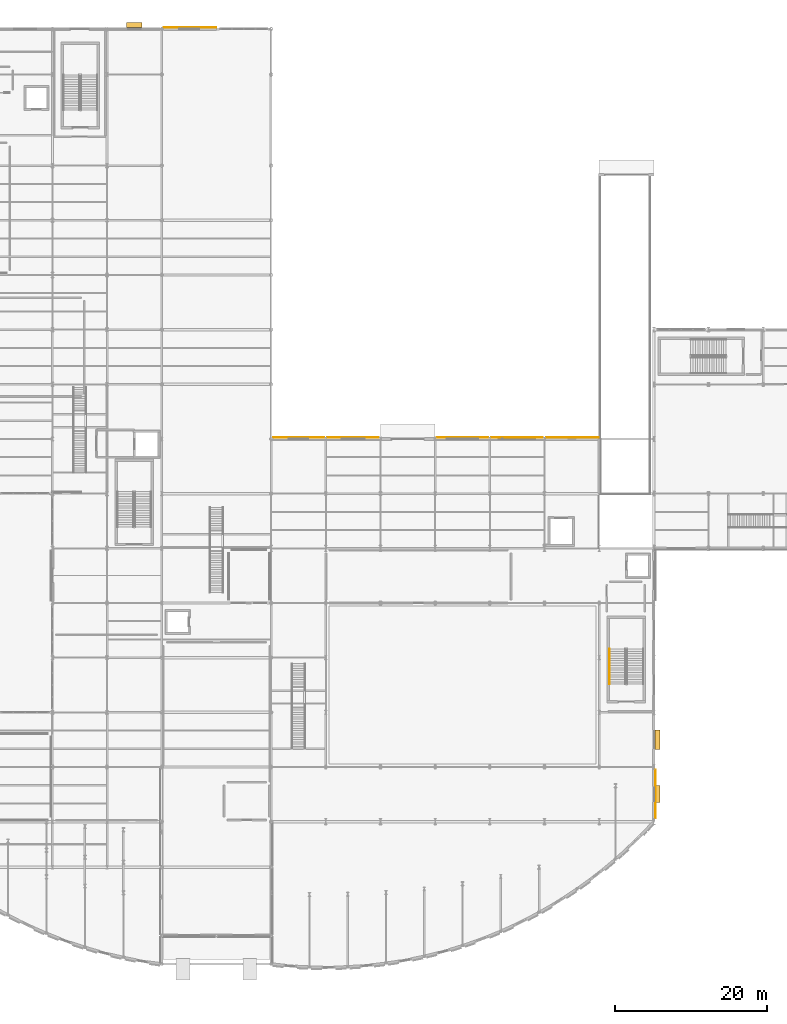
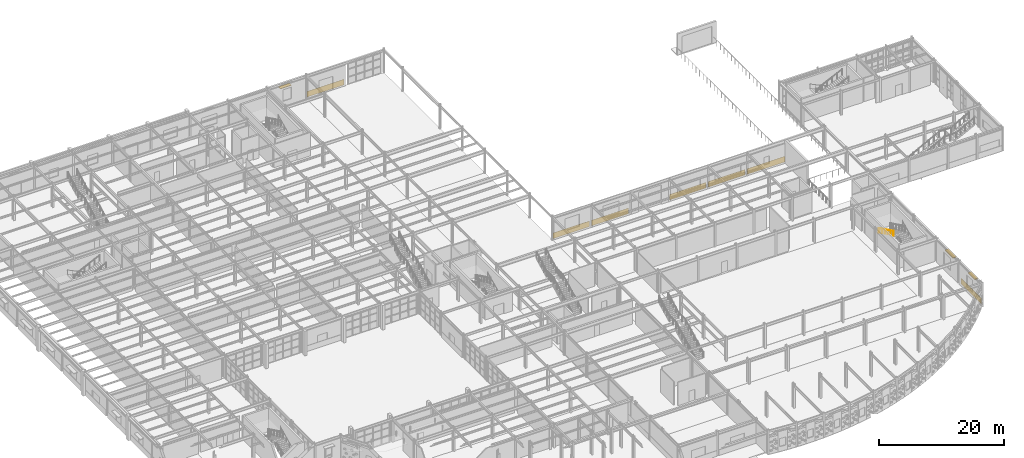
# One storey, part 78 of 83: 7 coverings, 3 shading devices, 1 railing.
"""IFC4 building model written with IfcOpenShell, lengths in metres."""

from ifc_helpers import new_model, si_unit, direction, frame, origin, origin_2d, place, context, subcontext, project, spatial, rectangle, circle, extrude, material, layer, layer_set, type_object, element, save


model = new_model("IFC4")

# Units and contexts
model_context = context("Model", 3, precision=1e-05, world=origin(), true_north=direction((0.0, 1.0)))
body_context = subcontext(model_context, "Body", "Model", "MODEL_VIEW")
ifc_project = project(units=[si_unit("LENGTHUNIT", "METRE"), si_unit("AREAUNIT", "SQUARE_METRE"), si_unit("VOLUMEUNIT", "CUBIC_METRE"), si_unit("PLANEANGLEUNIT", "RADIAN"), si_unit("MASSUNIT", "GRAM", prefix="KILO")], contexts=[model_context])

# Site, building, storey
site_placement = place(None, origin())
site = spatial("IfcSite", under=ifc_project, at=site_placement, CompositionType="ELEMENT")
building_placement = place(site_placement, origin())
building = spatial("IfcBuilding", under=site, at=building_placement, Name="Solvadek Multi-Sports Hall", CompositionType="ELEMENT")
storey_placement = place(building_placement, origin())
storey = spatial("IfcBuildingStorey", under=building, at=storey_placement, Name="L00", CompositionType="ELEMENT", Elevation=0.0)

# Coverings
ifc_material_1 = material(Name="Dressed honey-cream limestone ashlar", Category="masonry")
ifc_layer = layer(ifc_material_1, 0.044921875, Name="Dressed honey-cream limestone ashlar")
ifc_layer_set = layer_set([ifc_layer], Name="Dressed honey-cream limestone ashlar")
covering_type = type_object("IfcCoveringType", Name="ENV-COV-CLAD45", PredefinedType="CLADDING", material=ifc_layer_set)
covering_1_placement = place(storey_placement, frame((75.70361328125, 110.59716796875, 0.0), z_axis=(0.0, 0.0, 1.0), x_axis=(1.0, 0.0, 0.0)))
element("IfcCovering", 1, at=covering_1_placement, inside=storey, type_object=covering_type, Name="Deccan Granite Plinth Cladding #19", PredefinedType="CLADDING", context=body_context, shape_type="SweptSolid", body=[
    extrude(rectangle(XDim=6.89306640625, YDim=0.044921875, at=origin_2d()), origin(), (0.0, 0.0, 1.0), 1.10009765625),
])
covering_2_placement = place(storey_placement, frame((136.9970703125, 9.64990234375, 0.0), z_axis=(0.0, 0.0, 1.0), x_axis=(0.0, 1.0, 0.0)))
element("IfcCovering", 2, at=covering_2_placement, inside=storey, type_object=covering_type, Name="Deccan Granite Plinth Cladding #29", PredefinedType="CLADDING", context=body_context, shape_type="SweptSolid", body=[
    extrude(rectangle(XDim=6.39208984375, YDim=0.044921875, at=origin_2d()), origin(), (0.0, 0.0, 1.0), 1.10009765625),
])
covering_3_placement = place(storey_placement, frame((90.026611328125, 56.59716796875, 0.0), z_axis=(0.0, 0.0, 1.0), x_axis=(1.0, 0.0, 0.0)))
element("IfcCovering", 3, at=covering_3_placement, inside=storey, type_object=covering_type, Name="Deccan Granite Plinth Cladding #32", PredefinedType="CLADDING", context=body_context, shape_type="SweptSolid", body=[
    extrude(rectangle(XDim=6.739013671875, YDim=0.044921875, at=origin_2d()), origin(), (0.0, 0.0, 1.0), 1.10009765625),
])
for number, where, z_axis, x_axis, name in (
    (4, (97.199951171875, 56.59716796875, 0.0), (0.0, 0.0, 1.0), (1.0, 0.0, 0.0), "Deccan Granite Plinth Cladding #33"),
    (5, (111.60009765625, 56.59716796875, 0.0), (0.0, 0.0, 1.0), (1.0, 0.0, 0.0), "Deccan Granite Plinth Cladding #34"),
    (6, (118.800048828125, 56.59716796875, 0.0), (0.0, 0.0, 1.0), (1.0, 0.0, 0.0), "Deccan Granite Plinth Cladding #35"),
):
    element("IfcCovering", number, at=place(storey_placement, frame(where, z_axis=z_axis, x_axis=x_axis)), inside=storey, type_object=covering_type, Name=name, PredefinedType="CLADDING", context=body_context, shape_type="SweptSolid", body=[
        extrude(rectangle(XDim=6.7919921875, YDim=0.044921875, at=origin_2d()), origin(), (0.0, 0.0, 1.0), 1.10009765625),
    ])
covering_4_placement = place(storey_placement, frame((126.076904296875, 56.59716796875, 0.0), z_axis=(0.0, 0.0, 1.0), x_axis=(1.0, 0.0, 0.0)))
element("IfcCovering", 7, at=covering_4_placement, inside=storey, type_object=covering_type, Name="Deccan Granite Plinth Cladding #36", PredefinedType="CLADDING", context=body_context, shape_type="SweptSolid", body=[
    extrude(rectangle(XDim=6.946044921875, YDim=0.044921875, at=origin_2d()), origin(), (0.0, 0.0, 1.0), 1.10009765625),
])

# Shading devices
ifc_material_2 = material(Name="Perforated champagne-bronze anodised aluminium", Category="aluminium")
shading_device_type_1 = type_object("IfcShadingDeviceType", Name="ENV-SHD-CHAJJA1", PredefinedType="JALOUSIE", material=ifc_material_2)
shading_device_1_placement = place(storey_placement, frame((137.29443359375, 16.800048828125, 3.419921875), z_axis=(0.0, 0.0, 1.0), x_axis=(0.0, 1.0, 0.0)))
element("IfcShadingDevice", 8, at=shading_device_1_placement, inside=storey, type_object=shading_device_type_1, Name="L00 Chajja Solar Shading Hood #58", PredefinedType="JALOUSIE", context=body_context, shape_type="SweptSolid", body=[
    extrude(rectangle(XDim=2.60009765625, YDim=0.639892578125, at=origin_2d()), origin(), (0.0, 0.0, 1.0), 0.1201171875),
])
shading_device_type_2 = type_object("IfcShadingDeviceType", Name="ENV-SHD-CHAJJA2", PredefinedType="JALOUSIE", material=ifc_material_2)
shading_device_2_placement = place(storey_placement, frame((68.373291015625, 110.89453125, 3.27001953125), z_axis=(0.0, 0.0, 1.0), x_axis=(1.0, 0.0, 0.0)))
element("IfcShadingDevice", 9, at=shading_device_2_placement, inside=storey, type_object=shading_device_type_2, Name="L00 Chajja Solar Shading Hood #45", PredefinedType="JALOUSIE", context=body_context, shape_type="SweptSolid", body=[
    extrude(rectangle(XDim=2.0, YDim=0.639892578125, at=origin_2d()), origin(), (0.0, 0.0, 1.0), 0.1201171875),
])
shading_device_3_placement = place(storey_placement, frame((137.29443359375, 9.64990234375, 3.419921875), z_axis=(0.0, 0.0, 1.0), x_axis=(0.0, 1.0, 0.0)))
element("IfcShadingDevice", 10, at=shading_device_3_placement, inside=storey, type_object=shading_device_type_2, Name="L00 Chajja Solar Shading Hood #56", PredefinedType="JALOUSIE", context=body_context, shape_type="SweptSolid", body=[
    extrude(rectangle(XDim=2.199951171875, YDim=0.639892578125, at=origin_2d()), origin(), (0.0, 0.0, 1.0), 0.1201171875),
])

# Railing
ifc_material_3 = material(Name="Steel E250 (250 MPa)", Category="steel")
railing_type = type_object("IfcRailingType", Name="INT-RAL-HND090", PredefinedType="HANDRAIL", material=ifc_material_3)
railing_placement = place(storey_placement, frame((130.949951171875, 28.75, 2.550048828125)))
element("IfcRailing", 11, at=railing_placement, inside=storey, type_object=railing_type, Name="L00 ST-05 stair handrail 2", PredefinedType="HANDRAIL", context=body_context, shape_type="SweptSolid", body=[
    extrude(circle(Radius=0.02392578125, at=origin_2d()), frame((0.0, 0.0, 0.8759765625), z_axis=(0.0, -0.900155664878, 0.435568340204), x_axis=(1.0, 0.0, 0.0)), (0.0, 0.0, 1.0), 5.165771484375),
    extrude(circle(Radius=0.02099609375, at=origin_2d()), origin(), (0.0, 0.0, 1.0), 0.851806640625),
    extrude(circle(Radius=0.02099609375, at=origin_2d()), frame((0.0, -0.929931640625, 0.449951171875)), (0.0, 0.0, 1.0), 0.851806640625),
    extrude(circle(Radius=0.02099609375, at=origin_2d()), frame((0.0, -1.85986328125, 0.89990234375)), (0.0, 0.0, 1.0), 0.851806640625),
    extrude(circle(Radius=0.02099609375, at=origin_2d()), frame((0.0, -2.7900390625, 1.35009765625)), (0.0, 0.0, 1.0), 0.851806640625),
    extrude(circle(Radius=0.02099609375, at=origin_2d()), frame((0.0, -3.719970703125, 1.800048828125)), (0.0, 0.0, 1.0), 0.851806640625),
    extrude(circle(Radius=0.02099609375, at=origin_2d()), frame((0.0, -4.64990234375, 2.25)), (0.0, 0.0, 1.0), 0.851806640625),
])

save(model, "model.ifc")
